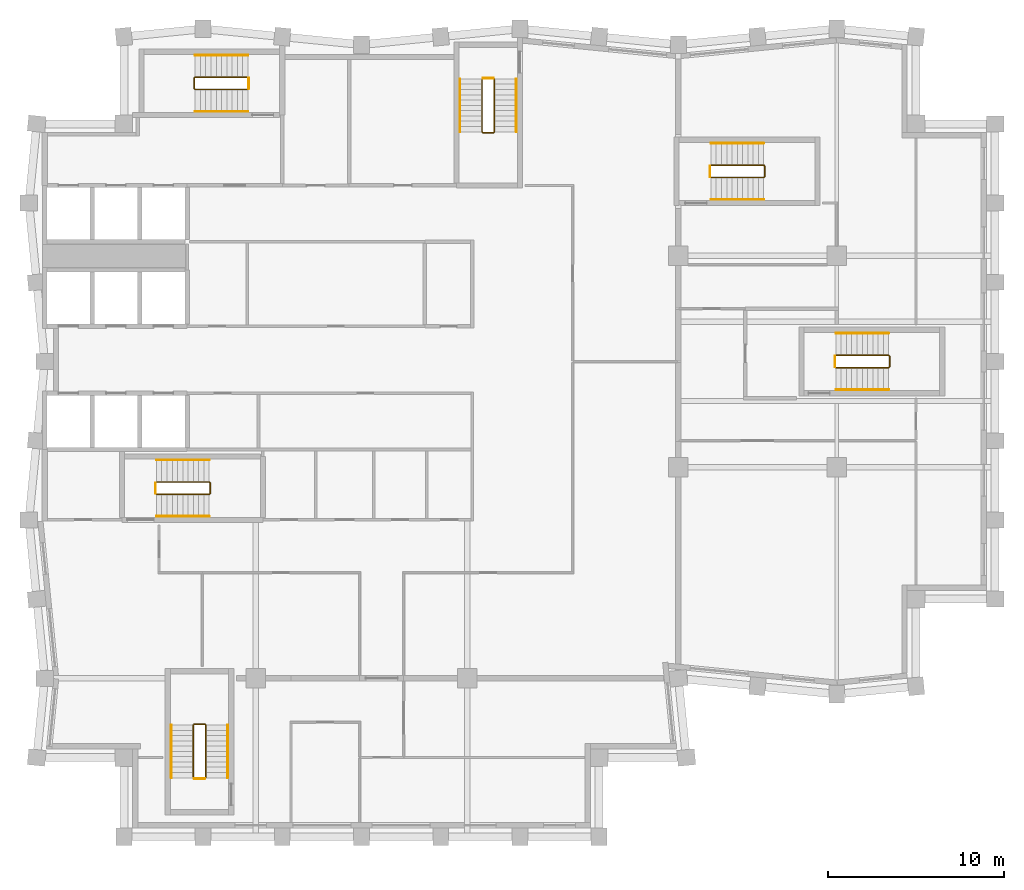
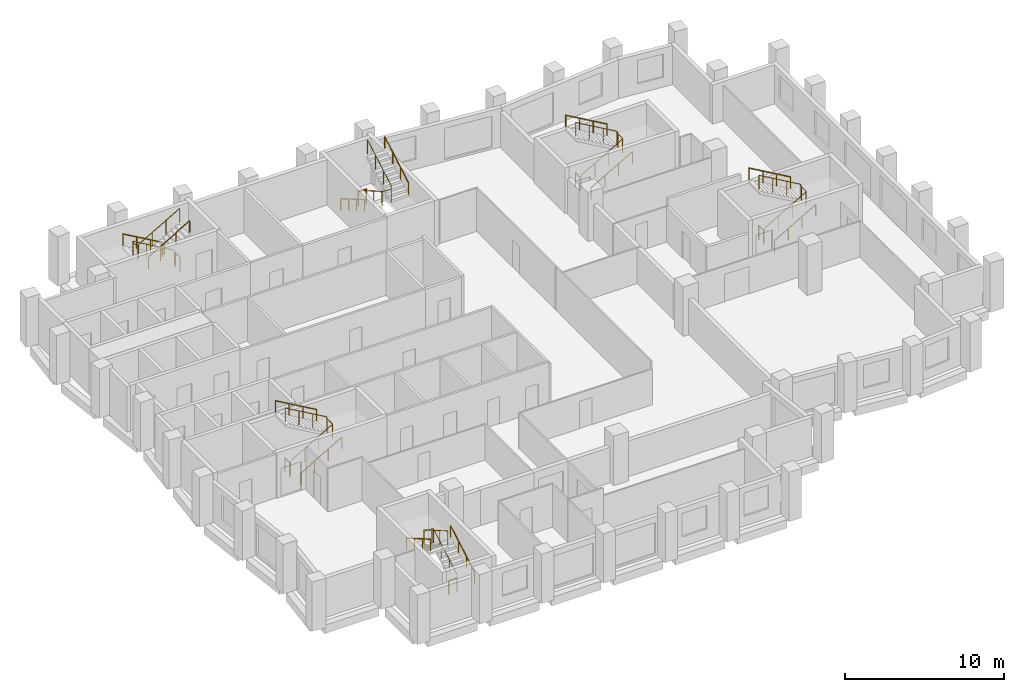
# One storey, part 8 of 8: 24 railings.
"""IFC4 building model written with IfcOpenShell, lengths in metres."""

from ifc_helpers import new_model, si_unit, direction, frame, origin, origin_2d, place, context, subcontext, project, spatial, circle, extrude, material, type_object, element, save


model = new_model("IFC4")

# Units and contexts
model_context = context("Model", 3, precision=1e-05, world=origin(), true_north=direction((0.0, 1.0)))
body_context = subcontext(model_context, "Body", "Model", "MODEL_VIEW")
ifc_project = project(units=[si_unit("LENGTHUNIT", "METRE"), si_unit("AREAUNIT", "SQUARE_METRE"), si_unit("VOLUMEUNIT", "CUBIC_METRE"), si_unit("PLANEANGLEUNIT", "RADIAN"), si_unit("MASSUNIT", "GRAM", prefix="KILO")], contexts=[model_context])

# Site, building, storey
site_placement = place(None, origin())
site = spatial("IfcSite", under=ifc_project, at=site_placement, CompositionType="ELEMENT")
building_placement = place(site_placement, origin())
building = spatial("IfcBuilding", under=site, at=building_placement, Name="Brondeck Convention Tower", CompositionType="ELEMENT")
storey_placement = place(building_placement, frame((0.0, 0.0, 244.39990234375)))
storey = spatial("IfcBuildingStorey", under=building, at=storey_placement, Name="L60", CompositionType="ELEMENT", Elevation=244.39990234375)

# Railings
ifc_material = material(Name="Steel S355", Category="steel")
railing_type_1 = type_object("IfcRailingType", Name="Stair guard 1100", PredefinedType="GUARDRAIL", material=ifc_material)
railing_1_placement = place(storey_placement, frame((6.35009765625, 37.449951171875, 0.1728515625)))
element("IfcRailing", 1, at=railing_1_placement, inside=storey, type_object=railing_type_1, Name="L60 ST-1 stair guard 1", PredefinedType="GUARDRAIL", context=body_context, shape_type="SweptSolid", body=[
    extrude(circle(Radius=0.02392578125, at=origin_2d()), frame((0.0, 0.0, 1.076171875), z_axis=(0.866619684472, 0.0, 0.498969260062), x_axis=(0.0, 1.0, 0.0)), (0.0, 0.0, 1.0), 3.461669921875),
    extrude(circle(Radius=0.02392578125, at=origin_2d()), frame((3.0, 0.0, 2.80322265625), z_axis=(0.705375805398, 0.708833529934, 0.0), x_axis=(-0.708833529934, 0.705375805398, 0.0)), (0.0, 0.0, 1.0), 0.070556640625),
    extrude(circle(Radius=0.02392578125, at=origin_2d()), frame((3.0498046875, 0.050048828125, 2.80322265625), z_axis=(0.0, 1.0, 0.0), x_axis=(-1.0, 0.0, 0.0)), (0.0, 0.0, 1.0), 0.60009765625),
    extrude(circle(Radius=0.02392578125, at=origin_2d()), frame((3.0498046875, 0.650146484375, 2.80322265625), z_axis=(-0.26715648603, 0.26715648603, 0.925880566782), x_axis=(-0.707106781187, -0.707106781187, 0.0)), (0.0, 0.0, 1.0), 0.1865234375),
    extrude(circle(Radius=0.02392578125, at=origin_2d()), frame((3.0, 0.699951171875, 2.97607421875), z_axis=(-0.866619684472, 0.0, 0.498969260062), x_axis=(0.0, -1.0, 0.0)), (0.0, 0.0, 1.0), 3.461669921875),
    extrude(circle(Radius=0.02099609375, at=origin_2d()), origin(), (0.0, 0.0, 1.0), 1.052001953125),
    extrude(circle(Radius=0.02099609375, at=origin_2d()), frame((1.0, 0.0, 0.57568359375)), (0.0, 0.0, 1.0), 1.052001953125),
    extrude(circle(Radius=0.02099609375, at=origin_2d()), frame((2.0, 0.0, 1.151611328125)), (0.0, 0.0, 1.0), 1.052001953125),
    extrude(circle(Radius=0.02099609375, at=origin_2d()), frame((3.0, 0.0, 1.727294921875)), (0.0, 0.0, 1.0), 1.052001953125),
    extrude(circle(Radius=0.02099609375, at=origin_2d()), frame((3.0498046875, 0.050048828125, 1.727294921875)), (0.0, 0.0, 1.0), 1.052001953125),
    extrude(circle(Radius=0.02099609375, at=origin_2d()), frame((3.0498046875, 0.650146484375, 1.727294921875)), (0.0, 0.0, 1.0), 1.052001953125),
    extrude(circle(Radius=0.02099609375, at=origin_2d()), frame((3.0, 0.699951171875, 1.89990234375)), (0.0, 0.0, 1.0), 1.052001953125),
    extrude(circle(Radius=0.02099609375, at=origin_2d()), frame((2.0, 0.699951171875, 2.4755859375)), (0.0, 0.0, 1.0), 1.052001953125),
    extrude(circle(Radius=0.02099609375, at=origin_2d()), frame((1.0, 0.699951171875, 3.051513671875)), (0.0, 0.0, 1.0), 1.052001953125),
    extrude(circle(Radius=0.02099609375, at=origin_2d()), frame((0.0, 0.699951171875, 3.627197265625)), (0.0, 0.0, 1.0), 1.052001953125),
])
railing_2_placement = place(storey_placement, frame((6.300048828125, 37.5, 0.0)))
element("IfcRailing", 2, at=railing_2_placement, inside=storey, type_object=railing_type_1, Name="L60 ST-1 stair guard 2", PredefinedType="GUARDRAIL", context=body_context, shape_type="SweptSolid", body=[
    extrude(circle(Radius=0.02392578125, at=origin_2d()), frame((0.0, 0.0, 1.076171875), z_axis=(0.0, 1.0, 0.0), x_axis=(-1.0, 0.0, 0.0)), (0.0, 0.0, 1.0), 0.60009765625),
    extrude(circle(Radius=0.02099609375, at=origin_2d()), origin(), (0.0, 0.0, 1.0), 1.052001953125),
    extrude(circle(Radius=0.02099609375, at=origin_2d()), frame((0.0, 0.60009765625, 0.0)), (0.0, 0.0, 1.0), 1.052001953125),
])
railing_3_placement = place(storey_placement, frame((24.85009765625, 61.050048828125, 0.1728515625)))
element("IfcRailing", 3, at=railing_3_placement, inside=storey, type_object=railing_type_1, Name="L60 ST-2 stair guard 1", PredefinedType="GUARDRAIL", context=body_context, shape_type="SweptSolid", body=[
    extrude(circle(Radius=0.02392578125, at=origin_2d()), frame((0.0, 0.0, 1.076171875), z_axis=(0.0, -0.866619684472, 0.498969260062), x_axis=(1.0, 0.0, 0.0)), (0.0, 0.0, 1.0), 3.461669921875),
    extrude(circle(Radius=0.02392578125, at=origin_2d()), frame((0.0, -3.0, 2.80322265625), z_axis=(0.705375805398, -0.708833529934, 0.0), x_axis=(0.708833529934, 0.705375805398, 0.0)), (0.0, 0.0, 1.0), 0.070556640625),
    extrude(circle(Radius=0.02392578125, at=origin_2d()), frame((0.0498046875, -3.050048828125, 2.80322265625), z_axis=(1.0, 0.0, 0.0), x_axis=(0.0, 1.0, 0.0)), (0.0, 0.0, 1.0), 0.60009765625),
    extrude(circle(Radius=0.02392578125, at=origin_2d()), frame((0.64990234375, -3.050048828125, 2.80322265625), z_axis=(0.268277960024, 0.268277960024, 0.925231793839), x_axis=(-0.707106781187, 0.707106781187, 0.0)), (0.0, 0.0, 1.0), 0.1865234375),
    extrude(circle(Radius=0.02392578125, at=origin_2d()), frame((0.699951171875, -3.0, 2.97607421875), z_axis=(0.0, 0.866619684472, 0.498969260062), x_axis=(-1.0, 0.0, 0.0)), (0.0, 0.0, 1.0), 3.461669921875),
    extrude(circle(Radius=0.02099609375, at=origin_2d()), origin(), (0.0, 0.0, 1.0), 1.052001953125),
    extrude(circle(Radius=0.02099609375, at=origin_2d()), frame((0.0, -1.0, 0.57568359375)), (0.0, 0.0, 1.0), 1.052001953125),
    extrude(circle(Radius=0.02099609375, at=origin_2d()), frame((0.0, -2.0, 1.151611328125)), (0.0, 0.0, 1.0), 1.052001953125),
    extrude(circle(Radius=0.02099609375, at=origin_2d()), frame((0.0, -3.0, 1.727294921875)), (0.0, 0.0, 1.0), 1.052001953125),
    extrude(circle(Radius=0.02099609375, at=origin_2d()), frame((0.0498046875, -3.050048828125, 1.727294921875)), (0.0, 0.0, 1.0), 1.052001953125),
    extrude(circle(Radius=0.02099609375, at=origin_2d()), frame((0.64990234375, -3.050048828125, 1.727294921875)), (0.0, 0.0, 1.0), 1.052001953125),
    extrude(circle(Radius=0.02099609375, at=origin_2d()), frame((0.699951171875, -3.0, 1.89990234375)), (0.0, 0.0, 1.0), 1.052001953125),
    extrude(circle(Radius=0.02099609375, at=origin_2d()), frame((0.699951171875, -2.0, 2.4755859375)), (0.0, 0.0, 1.0), 1.052001953125),
    extrude(circle(Radius=0.02099609375, at=origin_2d()), frame((0.699951171875, -1.0, 3.051513671875)), (0.0, 0.0, 1.0), 1.052001953125),
    extrude(circle(Radius=0.02099609375, at=origin_2d()), frame((0.699951171875, 0.0, 3.627197265625)), (0.0, 0.0, 1.0), 1.052001953125),
])
railing_4_placement = place(storey_placement, frame((24.89990234375, 61.10009765625, 0.0)))
element("IfcRailing", 4, at=railing_4_placement, inside=storey, type_object=railing_type_1, Name="L60 ST-2 stair guard 2", PredefinedType="GUARDRAIL", context=body_context, shape_type="SweptSolid", body=[
    extrude(circle(Radius=0.02392578125, at=origin_2d()), frame((0.0, 0.0, 1.076171875), z_axis=(1.0, 0.0, 0.0), x_axis=(0.0, 1.0, 0.0)), (0.0, 0.0, 1.0), 0.60009765625),
    extrude(circle(Radius=0.02099609375, at=origin_2d()), origin(), (0.0, 0.0, 1.0), 1.052001953125),
    extrude(circle(Radius=0.02099609375, at=origin_2d()), frame((0.60009765625, 0.0, 0.0)), (0.0, 0.0, 1.0), 1.052001953125),
])
railing_5_placement = place(storey_placement, frame((11.550048828125, 61.14990234375, 0.1728515625)))
element("IfcRailing", 5, at=railing_5_placement, inside=storey, type_object=railing_type_1, Name="L60 ST-3 stair guard 1", PredefinedType="GUARDRAIL", context=body_context, shape_type="SweptSolid", body=[
    extrude(circle(Radius=0.02392578125, at=origin_2d()), frame((0.0, 0.0, 1.076171875), z_axis=(-0.866619684472, 0.0, 0.498969260062), x_axis=(0.0, -1.0, 0.0)), (0.0, 0.0, 1.0), 3.461669921875),
    extrude(circle(Radius=0.02392578125, at=origin_2d()), frame((-3.0, 0.0, 2.80322265625), z_axis=(-0.708833529934, -0.705375805398, 0.0), x_axis=(0.705375805398, -0.708833529934, 0.0)), (0.0, 0.0, 1.0), 0.070556640625),
    extrude(circle(Radius=0.02392578125, at=origin_2d()), frame((-3.050048828125, -0.0498046875, 2.80322265625), z_axis=(0.0, -1.0, 0.0), x_axis=(1.0, 0.0, 0.0)), (0.0, 0.0, 1.0), 0.60009765625),
    extrude(circle(Radius=0.02392578125, at=origin_2d()), frame((-3.050048828125, -0.64990234375, 2.80322265625), z_axis=(0.268277960024, -0.268277960024, 0.925231793839), x_axis=(0.707106781187, 0.707106781187, 0.0)), (0.0, 0.0, 1.0), 0.1865234375),
    extrude(circle(Radius=0.02392578125, at=origin_2d()), frame((-3.0, -0.699951171875, 2.97607421875), z_axis=(0.866619684472, 0.0, 0.498969260062), x_axis=(0.0, 1.0, 0.0)), (0.0, 0.0, 1.0), 3.461669921875),
    extrude(circle(Radius=0.02099609375, at=origin_2d()), origin(), (0.0, 0.0, 1.0), 1.052001953125),
    extrude(circle(Radius=0.02099609375, at=origin_2d()), frame((-1.0, 0.0, 0.57568359375)), (0.0, 0.0, 1.0), 1.052001953125),
    extrude(circle(Radius=0.02099609375, at=origin_2d()), frame((-2.0, 0.0, 1.151611328125)), (0.0, 0.0, 1.0), 1.052001953125),
    extrude(circle(Radius=0.02099609375, at=origin_2d()), frame((-3.0, 0.0, 1.727294921875)), (0.0, 0.0, 1.0), 1.052001953125),
    extrude(circle(Radius=0.02099609375, at=origin_2d()), frame((-3.050048828125, -0.0498046875, 1.727294921875)), (0.0, 0.0, 1.0), 1.052001953125),
    extrude(circle(Radius=0.02099609375, at=origin_2d()), frame((-3.050048828125, -0.64990234375, 1.727294921875)), (0.0, 0.0, 1.0), 1.052001953125),
    extrude(circle(Radius=0.02099609375, at=origin_2d()), frame((-3.0, -0.699951171875, 1.89990234375)), (0.0, 0.0, 1.0), 1.052001953125),
    extrude(circle(Radius=0.02099609375, at=origin_2d()), frame((-2.0, -0.699951171875, 2.4755859375)), (0.0, 0.0, 1.0), 1.052001953125),
    extrude(circle(Radius=0.02099609375, at=origin_2d()), frame((-1.0, -0.699951171875, 3.051513671875)), (0.0, 0.0, 1.0), 1.052001953125),
    extrude(circle(Radius=0.02099609375, at=origin_2d()), frame((0.0, -0.699951171875, 3.627197265625)), (0.0, 0.0, 1.0), 1.052001953125),
])
railing_6_placement = place(storey_placement, frame((11.60009765625, 61.10009765625, 0.0)))
element("IfcRailing", 6, at=railing_6_placement, inside=storey, type_object=railing_type_1, Name="L60 ST-3 stair guard 2", PredefinedType="GUARDRAIL", context=body_context, shape_type="SweptSolid", body=[
    extrude(circle(Radius=0.02392578125, at=origin_2d()), frame((0.0, 0.0, 1.076171875), z_axis=(0.0, -1.0, 0.0), x_axis=(1.0, 0.0, 0.0)), (0.0, 0.0, 1.0), 0.60009765625),
    extrude(circle(Radius=0.02099609375, at=origin_2d()), origin(), (0.0, 0.0, 1.0), 1.052001953125),
    extrude(circle(Radius=0.02099609375, at=origin_2d()), frame((0.0, -0.60009765625, 0.0)), (0.0, 0.0, 1.0), 1.052001953125),
])
railing_7_placement = place(storey_placement, frame((37.85009765625, 55.449951171875, 0.1728515625)))
element("IfcRailing", 7, at=railing_7_placement, inside=storey, type_object=railing_type_1, Name="L60 ST-AE stair guard 1", PredefinedType="GUARDRAIL", context=body_context, shape_type="SweptSolid", body=[
    extrude(circle(Radius=0.02392578125, at=origin_2d()), frame((0.0, 0.0, 1.076171875), z_axis=(0.866619684472, 0.0, 0.498969260062), x_axis=(0.0, 1.0, 0.0)), (0.0, 0.0, 1.0), 3.461669921875),
    extrude(circle(Radius=0.02392578125, at=origin_2d()), frame((3.0, 0.0, 2.80322265625), z_axis=(0.705375805398, 0.708833529934, 0.0), x_axis=(-0.708833529934, 0.705375805398, 0.0)), (0.0, 0.0, 1.0), 0.070556640625),
    extrude(circle(Radius=0.02392578125, at=origin_2d()), frame((3.0498046875, 0.050048828125, 2.80322265625), z_axis=(0.0, 1.0, 0.0), x_axis=(-1.0, 0.0, 0.0)), (0.0, 0.0, 1.0), 0.60009765625),
    extrude(circle(Radius=0.02392578125, at=origin_2d()), frame((3.0498046875, 0.650146484375, 2.80322265625), z_axis=(-0.26715648603, 0.26715648603, 0.925880566782), x_axis=(-0.707106781187, -0.707106781187, 0.0)), (0.0, 0.0, 1.0), 0.1865234375),
    extrude(circle(Radius=0.02392578125, at=origin_2d()), frame((3.0, 0.699951171875, 2.97607421875), z_axis=(-0.866619684472, 0.0, 0.498969260062), x_axis=(0.0, -1.0, 0.0)), (0.0, 0.0, 1.0), 3.461669921875),
    extrude(circle(Radius=0.02099609375, at=origin_2d()), origin(), (0.0, 0.0, 1.0), 1.052001953125),
    extrude(circle(Radius=0.02099609375, at=origin_2d()), frame((1.0, 0.0, 0.57568359375)), (0.0, 0.0, 1.0), 1.052001953125),
    extrude(circle(Radius=0.02099609375, at=origin_2d()), frame((2.0, 0.0, 1.151611328125)), (0.0, 0.0, 1.0), 1.052001953125),
    extrude(circle(Radius=0.02099609375, at=origin_2d()), frame((3.0, 0.0, 1.727294921875)), (0.0, 0.0, 1.0), 1.052001953125),
    extrude(circle(Radius=0.02099609375, at=origin_2d()), frame((3.0498046875, 0.050048828125, 1.727294921875)), (0.0, 0.0, 1.0), 1.052001953125),
    extrude(circle(Radius=0.02099609375, at=origin_2d()), frame((3.0498046875, 0.650146484375, 1.727294921875)), (0.0, 0.0, 1.0), 1.052001953125),
    extrude(circle(Radius=0.02099609375, at=origin_2d()), frame((3.0, 0.699951171875, 1.89990234375)), (0.0, 0.0, 1.0), 1.052001953125),
    extrude(circle(Radius=0.02099609375, at=origin_2d()), frame((2.0, 0.699951171875, 2.4755859375)), (0.0, 0.0, 1.0), 1.052001953125),
    extrude(circle(Radius=0.02099609375, at=origin_2d()), frame((1.0, 0.699951171875, 3.051513671875)), (0.0, 0.0, 1.0), 1.052001953125),
    extrude(circle(Radius=0.02099609375, at=origin_2d()), frame((0.0, 0.699951171875, 3.627197265625)), (0.0, 0.0, 1.0), 1.052001953125),
])
railing_8_placement = place(storey_placement, frame((37.800048828125, 55.5, 0.0)))
element("IfcRailing", 8, at=railing_8_placement, inside=storey, type_object=railing_type_1, Name="L60 ST-AE stair guard 2", PredefinedType="GUARDRAIL", context=body_context, shape_type="SweptSolid", body=[
    extrude(circle(Radius=0.02392578125, at=origin_2d()), frame((0.0, 0.0, 1.076171875), z_axis=(0.0, 1.0, 0.0), x_axis=(-1.0, 0.0, 0.0)), (0.0, 0.0, 1.0), 0.60009765625),
    extrude(circle(Radius=0.02099609375, at=origin_2d()), origin(), (0.0, 0.0, 1.0), 1.052001953125),
    extrude(circle(Radius=0.02099609375, at=origin_2d()), frame((0.0, 0.60009765625, 0.0)), (0.0, 0.0, 1.0), 1.052001953125),
])
railing_9_placement = place(storey_placement, frame((9.14990234375, 21.35009765625, 0.1728515625)))
element("IfcRailing", 9, at=railing_9_placement, inside=storey, type_object=railing_type_1, Name="L60 ST-BE stair guard 1", PredefinedType="GUARDRAIL", context=body_context, shape_type="SweptSolid", body=[
    extrude(circle(Radius=0.02392578125, at=origin_2d()), frame((0.0, 0.0, 1.076171875), z_axis=(0.0, 0.866619684472, 0.498969260062), x_axis=(-1.0, 0.0, 0.0)), (0.0, 0.0, 1.0), 3.461669921875),
    extrude(circle(Radius=0.02392578125, at=origin_2d()), frame((0.0, 3.0, 2.80322265625), z_axis=(-0.707106781187, 0.707106781187, 0.0), x_axis=(-0.707106781187, -0.707106781187, 0.0)), (0.0, 0.0, 1.0), 0.0703125),
    extrude(circle(Radius=0.02392578125, at=origin_2d()), frame((-0.0498046875, 3.0498046875, 2.80322265625), z_axis=(-1.0, 0.0, 0.0), x_axis=(0.0, -1.0, 0.0)), (0.0, 0.0, 1.0), 0.60009765625),
    extrude(circle(Radius=0.02392578125, at=origin_2d()), frame((-0.64990234375, 3.0498046875, 2.80322265625), z_axis=(-0.268371968888, -0.267062837333, 0.925556009775), x_axis=(0.705375805398, -0.708833529934, 0.0)), (0.0, 0.0, 1.0), 0.1865234375),
    extrude(circle(Radius=0.02392578125, at=origin_2d()), frame((-0.699951171875, 3.0, 2.97607421875), z_axis=(0.0, -0.866619684472, 0.498969260062), x_axis=(1.0, 0.0, 0.0)), (0.0, 0.0, 1.0), 3.461669921875),
    extrude(circle(Radius=0.02099609375, at=origin_2d()), origin(), (0.0, 0.0, 1.0), 1.052001953125),
    extrude(circle(Radius=0.02099609375, at=origin_2d()), frame((0.0, 1.0, 0.57568359375)), (0.0, 0.0, 1.0), 1.052001953125),
    extrude(circle(Radius=0.02099609375, at=origin_2d()), frame((0.0, 2.0, 1.151611328125)), (0.0, 0.0, 1.0), 1.052001953125),
    extrude(circle(Radius=0.02099609375, at=origin_2d()), frame((0.0, 3.0, 1.727294921875)), (0.0, 0.0, 1.0), 1.052001953125),
    extrude(circle(Radius=0.02099609375, at=origin_2d()), frame((-0.0498046875, 3.0498046875, 1.727294921875)), (0.0, 0.0, 1.0), 1.052001953125),
    extrude(circle(Radius=0.02099609375, at=origin_2d()), frame((-0.64990234375, 3.0498046875, 1.727294921875)), (0.0, 0.0, 1.0), 1.052001953125),
    extrude(circle(Radius=0.02099609375, at=origin_2d()), frame((-0.699951171875, 3.0, 1.89990234375)), (0.0, 0.0, 1.0), 1.052001953125),
    extrude(circle(Radius=0.02099609375, at=origin_2d()), frame((-0.699951171875, 2.0, 2.4755859375)), (0.0, 0.0, 1.0), 1.052001953125),
    extrude(circle(Radius=0.02099609375, at=origin_2d()), frame((-0.699951171875, 1.0, 3.051513671875)), (0.0, 0.0, 1.0), 1.052001953125),
    extrude(circle(Radius=0.02099609375, at=origin_2d()), frame((-0.699951171875, 0.0, 3.627197265625)), (0.0, 0.0, 1.0), 1.052001953125),
])
railing_10_placement = place(storey_placement, frame((9.10009765625, 21.300048828125, 0.0)))
element("IfcRailing", 10, at=railing_10_placement, inside=storey, type_object=railing_type_1, Name="L60 ST-BE stair guard 2", PredefinedType="GUARDRAIL", context=body_context, shape_type="SweptSolid", body=[
    extrude(circle(Radius=0.02392578125, at=origin_2d()), frame((0.0, 0.0, 1.076171875), z_axis=(-1.0, 0.0, 0.0), x_axis=(0.0, -1.0, 0.0)), (0.0, 0.0, 1.0), 0.60009765625),
    extrude(circle(Radius=0.02099609375, at=origin_2d()), origin(), (0.0, 0.0, 1.0), 1.052001953125),
    extrude(circle(Radius=0.02099609375, at=origin_2d()), frame((-0.60009765625, 0.0, 0.0)), (0.0, 0.0, 1.0), 1.052001953125),
])
railing_11_placement = place(storey_placement, frame((44.949951171875, 44.64990234375, 0.1728515625)))
element("IfcRailing", 11, at=railing_11_placement, inside=storey, type_object=railing_type_1, Name="L60 ST-AF stair guard 1", PredefinedType="GUARDRAIL", context=body_context, shape_type="SweptSolid", body=[
    extrude(circle(Radius=0.02392578125, at=origin_2d()), frame((0.0, 0.0, 1.076171875), z_axis=(0.866619684472, 0.0, 0.498969260062), x_axis=(0.0, 1.0, 0.0)), (0.0, 0.0, 1.0), 3.461669921875),
    extrude(circle(Radius=0.02392578125, at=origin_2d()), frame((3.0, 0.0, 2.80322265625), z_axis=(0.707106781187, 0.707106781187, 0.0), x_axis=(-0.707106781187, 0.707106781187, 0.0)), (0.0, 0.0, 1.0), 0.07080078125),
    extrude(circle(Radius=0.02392578125, at=origin_2d()), frame((3.050048828125, 0.050048828125, 2.80322265625), z_axis=(0.0, 1.0, 0.0), x_axis=(-1.0, 0.0, 0.0)), (0.0, 0.0, 1.0), 0.60009765625),
    extrude(circle(Radius=0.02392578125, at=origin_2d()), frame((3.050048828125, 0.650146484375, 2.80322265625), z_axis=(-0.268277960024, 0.268277960024, 0.925231793839), x_axis=(-0.707106781187, -0.707106781187, 0.0)), (0.0, 0.0, 1.0), 0.1865234375),
    extrude(circle(Radius=0.02392578125, at=origin_2d()), frame((3.0, 0.7001953125, 2.97607421875), z_axis=(-0.866619684472, 0.0, 0.498969260062), x_axis=(0.0, -1.0, 0.0)), (0.0, 0.0, 1.0), 3.461669921875),
    extrude(circle(Radius=0.02099609375, at=origin_2d()), origin(), (0.0, 0.0, 1.0), 1.052001953125),
    extrude(circle(Radius=0.02099609375, at=origin_2d()), frame((1.0, 0.0, 0.57568359375)), (0.0, 0.0, 1.0), 1.052001953125),
    extrude(circle(Radius=0.02099609375, at=origin_2d()), frame((2.0, 0.0, 1.151611328125)), (0.0, 0.0, 1.0), 1.052001953125),
    extrude(circle(Radius=0.02099609375, at=origin_2d()), frame((3.0, 0.0, 1.727294921875)), (0.0, 0.0, 1.0), 1.052001953125),
    extrude(circle(Radius=0.02099609375, at=origin_2d()), frame((3.050048828125, 0.050048828125, 1.727294921875)), (0.0, 0.0, 1.0), 1.052001953125),
    extrude(circle(Radius=0.02099609375, at=origin_2d()), frame((3.050048828125, 0.650146484375, 1.727294921875)), (0.0, 0.0, 1.0), 1.052001953125),
    extrude(circle(Radius=0.02099609375, at=origin_2d()), frame((3.0, 0.7001953125, 1.89990234375)), (0.0, 0.0, 1.0), 1.052001953125),
    extrude(circle(Radius=0.02099609375, at=origin_2d()), frame((2.0, 0.7001953125, 2.4755859375)), (0.0, 0.0, 1.0), 1.052001953125),
    extrude(circle(Radius=0.02099609375, at=origin_2d()), frame((1.0, 0.7001953125, 3.051513671875)), (0.0, 0.0, 1.0), 1.052001953125),
    extrude(circle(Radius=0.02099609375, at=origin_2d()), frame((0.0, 0.7001953125, 3.627197265625)), (0.0, 0.0, 1.0), 1.052001953125),
])
railing_12_placement = place(storey_placement, frame((44.89990234375, 44.699951171875, 0.0)))
element("IfcRailing", 12, at=railing_12_placement, inside=storey, type_object=railing_type_1, Name="L60 ST-AF stair guard 2", PredefinedType="GUARDRAIL", context=body_context, shape_type="SweptSolid", body=[
    extrude(circle(Radius=0.02392578125, at=origin_2d()), frame((0.0, 0.0, 1.076171875), z_axis=(0.0, 1.0, 0.0), x_axis=(-1.0, 0.0, 0.0)), (0.0, 0.0, 1.0), 0.60009765625),
    extrude(circle(Radius=0.02099609375, at=origin_2d()), origin(), (0.0, 0.0, 1.0), 1.052001953125),
    extrude(circle(Radius=0.02099609375, at=origin_2d()), frame((0.0, 0.60009765625, 0.0)), (0.0, 0.0, 1.0), 1.052001953125),
])
railing_type_2 = type_object("IfcRailingType", Name="Stair handrail", PredefinedType="HANDRAIL", material=ifc_material)
railing_13_placement = place(storey_placement, frame((6.35009765625, 36.199951171875, 0.1728515625)))
element("IfcRailing", 13, at=railing_13_placement, inside=storey, type_object=railing_type_2, Name="L60 ST-1 stair handrail 1", PredefinedType="HANDRAIL", context=body_context, shape_type="SweptSolid", body=[
    extrude(circle(Radius=0.02392578125, at=origin_2d()), frame((0.0, 0.0, 0.8759765625), z_axis=(0.866619684472, 0.0, 0.498969260062), x_axis=(0.0, 1.0, 0.0)), (0.0, 0.0, 1.0), 3.461669921875),
    extrude(circle(Radius=0.02099609375, at=origin_2d()), origin(), (0.0, 0.0, 1.0), 0.851806640625),
    extrude(circle(Radius=0.02099609375, at=origin_2d()), frame((1.0, 0.0, 0.57568359375)), (0.0, 0.0, 1.0), 0.851806640625),
    extrude(circle(Radius=0.02099609375, at=origin_2d()), frame((2.0, 0.0, 1.151611328125)), (0.0, 0.0, 1.0), 0.851806640625),
    extrude(circle(Radius=0.02099609375, at=origin_2d()), frame((3.0, 0.0, 1.727294921875)), (0.0, 0.0, 1.0), 0.851806640625),
])
railing_14_placement = place(storey_placement, frame((9.35009765625, 39.39990234375, 2.07275390625)))
element("IfcRailing", 14, at=railing_14_placement, inside=storey, type_object=railing_type_2, Name="L60 ST-1 stair handrail 2", PredefinedType="HANDRAIL", context=body_context, shape_type="SweptSolid", body=[
    extrude(circle(Radius=0.02392578125, at=origin_2d()), frame((0.0, 0.0, 0.8759765625), z_axis=(-0.866619684472, 0.0, 0.498969260062), x_axis=(0.0, -1.0, 0.0)), (0.0, 0.0, 1.0), 3.461669921875),
    extrude(circle(Radius=0.02099609375, at=origin_2d()), origin(), (0.0, 0.0, 1.0), 0.851806640625),
    extrude(circle(Radius=0.02099609375, at=origin_2d()), frame((-1.0, 0.0, 0.57568359375)), (0.0, 0.0, 1.0), 0.851806640625),
    extrude(circle(Radius=0.02099609375, at=origin_2d()), frame((-2.0, 0.0, 1.151611328125)), (0.0, 0.0, 1.0), 0.851806640625),
    extrude(circle(Radius=0.02099609375, at=origin_2d()), frame((-3.0, 0.0, 1.727294921875)), (0.0, 0.0, 1.0), 0.851806640625),
])
railing_15_placement = place(storey_placement, frame((23.60009765625, 61.050048828125, 0.1728515625)))
element("IfcRailing", 15, at=railing_15_placement, inside=storey, type_object=railing_type_2, Name="L60 ST-2 stair handrail 1", PredefinedType="HANDRAIL", context=body_context, shape_type="SweptSolid", body=[
    extrude(circle(Radius=0.02392578125, at=origin_2d()), frame((0.0, 0.0, 0.8759765625), z_axis=(0.0, -0.866619684472, 0.498969260062), x_axis=(1.0, 0.0, 0.0)), (0.0, 0.0, 1.0), 3.461669921875),
    extrude(circle(Radius=0.02099609375, at=origin_2d()), origin(), (0.0, 0.0, 1.0), 0.851806640625),
    extrude(circle(Radius=0.02099609375, at=origin_2d()), frame((0.0, -1.0, 0.57568359375)), (0.0, 0.0, 1.0), 0.851806640625),
    extrude(circle(Radius=0.02099609375, at=origin_2d()), frame((0.0, -2.0, 1.151611328125)), (0.0, 0.0, 1.0), 0.851806640625),
    extrude(circle(Radius=0.02099609375, at=origin_2d()), frame((0.0, -3.0, 1.727294921875)), (0.0, 0.0, 1.0), 0.851806640625),
])
railing_16_placement = place(storey_placement, frame((26.800048828125, 58.050048828125, 2.07275390625)))
element("IfcRailing", 16, at=railing_16_placement, inside=storey, type_object=railing_type_2, Name="L60 ST-2 stair handrail 2", PredefinedType="HANDRAIL", context=body_context, shape_type="SweptSolid", body=[
    extrude(circle(Radius=0.02392578125, at=origin_2d()), frame((0.0, 0.0, 0.8759765625), z_axis=(0.0, 0.866619684472, 0.498969260062), x_axis=(-1.0, 0.0, 0.0)), (0.0, 0.0, 1.0), 3.461669921875),
    extrude(circle(Radius=0.02099609375, at=origin_2d()), origin(), (0.0, 0.0, 1.0), 0.851806640625),
    extrude(circle(Radius=0.02099609375, at=origin_2d()), frame((0.0, 1.0, 0.57568359375)), (0.0, 0.0, 1.0), 0.851806640625),
    extrude(circle(Radius=0.02099609375, at=origin_2d()), frame((0.0, 2.0, 1.151611328125)), (0.0, 0.0, 1.0), 0.851806640625),
    extrude(circle(Radius=0.02099609375, at=origin_2d()), frame((0.0, 3.0, 1.727294921875)), (0.0, 0.0, 1.0), 0.851806640625),
])
railing_17_placement = place(storey_placement, frame((11.550048828125, 62.39990234375, 0.1728515625)))
element("IfcRailing", 17, at=railing_17_placement, inside=storey, type_object=railing_type_2, Name="L60 ST-3 stair handrail 1", PredefinedType="HANDRAIL", context=body_context, shape_type="SweptSolid", body=[
    extrude(circle(Radius=0.02392578125, at=origin_2d()), frame((0.0, 0.0, 0.8759765625), z_axis=(-0.866619684472, 0.0, 0.498969260062), x_axis=(0.0, -1.0, 0.0)), (0.0, 0.0, 1.0), 3.461669921875),
    extrude(circle(Radius=0.02099609375, at=origin_2d()), origin(), (0.0, 0.0, 1.0), 0.851806640625),
    extrude(circle(Radius=0.02099609375, at=origin_2d()), frame((-1.0, 0.0, 0.57568359375)), (0.0, 0.0, 1.0), 0.851806640625),
    extrude(circle(Radius=0.02099609375, at=origin_2d()), frame((-2.0, 0.0, 1.151611328125)), (0.0, 0.0, 1.0), 0.851806640625),
    extrude(circle(Radius=0.02099609375, at=origin_2d()), frame((-3.0, 0.0, 1.727294921875)), (0.0, 0.0, 1.0), 0.851806640625),
])
for number, where, name in (
    (18, (8.550048828125, 59.199951171875, 2.07275390625), "L60 ST-3 stair handrail 2"),
    (19, (37.85009765625, 54.199951171875, 0.1728515625), "L60 ST-AE stair handrail 1"),
):
    element("IfcRailing", number, at=place(storey_placement, frame(where)), inside=storey, type_object=railing_type_2, Name=name, PredefinedType="HANDRAIL", context=body_context, shape_type="SweptSolid", body=[
        extrude(circle(Radius=0.02392578125, at=origin_2d()), frame((0.0, 0.0, 0.8759765625), z_axis=(0.866619684472, 0.0, 0.498969260062), x_axis=(0.0, 1.0, 0.0)), (0.0, 0.0, 1.0), 3.461669921875),
        extrude(circle(Radius=0.02099609375, at=origin_2d()), origin(), (0.0, 0.0, 1.0), 0.851806640625),
        extrude(circle(Radius=0.02099609375, at=origin_2d()), frame((1.0, 0.0, 0.57568359375)), (0.0, 0.0, 1.0), 0.851806640625),
        extrude(circle(Radius=0.02099609375, at=origin_2d()), frame((2.0, 0.0, 1.151611328125)), (0.0, 0.0, 1.0), 0.851806640625),
        extrude(circle(Radius=0.02099609375, at=origin_2d()), frame((3.0, 0.0, 1.727294921875)), (0.0, 0.0, 1.0), 0.851806640625),
    ])
railing_18_placement = place(storey_placement, frame((40.85009765625, 57.39990234375, 2.07275390625)))
element("IfcRailing", 20, at=railing_18_placement, inside=storey, type_object=railing_type_2, Name="L60 ST-AE stair handrail 2", PredefinedType="HANDRAIL", context=body_context, shape_type="SweptSolid", body=[
    extrude(circle(Radius=0.02392578125, at=origin_2d()), frame((0.0, 0.0, 0.8759765625), z_axis=(-0.866619684472, 0.0, 0.498969260062), x_axis=(0.0, -1.0, 0.0)), (0.0, 0.0, 1.0), 3.461669921875),
    extrude(circle(Radius=0.02099609375, at=origin_2d()), origin(), (0.0, 0.0, 1.0), 0.851806640625),
    extrude(circle(Radius=0.02099609375, at=origin_2d()), frame((-1.0, 0.0, 0.57568359375)), (0.0, 0.0, 1.0), 0.851806640625),
    extrude(circle(Radius=0.02099609375, at=origin_2d()), frame((-2.0, 0.0, 1.151611328125)), (0.0, 0.0, 1.0), 0.851806640625),
    extrude(circle(Radius=0.02099609375, at=origin_2d()), frame((-3.0, 0.0, 1.727294921875)), (0.0, 0.0, 1.0), 0.851806640625),
])
railing_19_placement = place(storey_placement, frame((10.39990234375, 21.35009765625, 0.1728515625)))
element("IfcRailing", 21, at=railing_19_placement, inside=storey, type_object=railing_type_2, Name="L60 ST-BE stair handrail 1", PredefinedType="HANDRAIL", context=body_context, shape_type="SweptSolid", body=[
    extrude(circle(Radius=0.02392578125, at=origin_2d()), frame((0.0, 0.0, 0.8759765625), z_axis=(0.0, 0.866619684472, 0.498969260062), x_axis=(-1.0, 0.0, 0.0)), (0.0, 0.0, 1.0), 3.461669921875),
    extrude(circle(Radius=0.02099609375, at=origin_2d()), origin(), (0.0, 0.0, 1.0), 0.851806640625),
    extrude(circle(Radius=0.02099609375, at=origin_2d()), frame((0.0, 1.0, 0.57568359375)), (0.0, 0.0, 1.0), 0.851806640625),
    extrude(circle(Radius=0.02099609375, at=origin_2d()), frame((0.0, 2.0, 1.151611328125)), (0.0, 0.0, 1.0), 0.851806640625),
    extrude(circle(Radius=0.02099609375, at=origin_2d()), frame((0.0, 3.0, 1.727294921875)), (0.0, 0.0, 1.0), 0.851806640625),
])
railing_20_placement = place(storey_placement, frame((7.199951171875, 24.35009765625, 2.07275390625)))
element("IfcRailing", 22, at=railing_20_placement, inside=storey, type_object=railing_type_2, Name="L60 ST-BE stair handrail 2", PredefinedType="HANDRAIL", context=body_context, shape_type="SweptSolid", body=[
    extrude(circle(Radius=0.02392578125, at=origin_2d()), frame((0.0, 0.0, 0.8759765625), z_axis=(0.0, -0.866619684472, 0.498969260062), x_axis=(1.0, 0.0, 0.0)), (0.0, 0.0, 1.0), 3.461669921875),
    extrude(circle(Radius=0.02099609375, at=origin_2d()), origin(), (0.0, 0.0, 1.0), 0.851806640625),
    extrude(circle(Radius=0.02099609375, at=origin_2d()), frame((0.0, -1.0, 0.57568359375)), (0.0, 0.0, 1.0), 0.851806640625),
    extrude(circle(Radius=0.02099609375, at=origin_2d()), frame((0.0, -2.0, 1.151611328125)), (0.0, 0.0, 1.0), 0.851806640625),
    extrude(circle(Radius=0.02099609375, at=origin_2d()), frame((0.0, -3.0, 1.727294921875)), (0.0, 0.0, 1.0), 0.851806640625),
])
railing_21_placement = place(storey_placement, frame((44.949951171875, 43.39990234375, 0.1728515625)))
element("IfcRailing", 23, at=railing_21_placement, inside=storey, type_object=railing_type_2, Name="L60 ST-AF stair handrail 1", PredefinedType="HANDRAIL", context=body_context, shape_type="SweptSolid", body=[
    extrude(circle(Radius=0.02392578125, at=origin_2d()), frame((0.0, 0.0, 0.8759765625), z_axis=(0.866619684472, 0.0, 0.498969260062), x_axis=(0.0, 1.0, 0.0)), (0.0, 0.0, 1.0), 3.461669921875),
    extrude(circle(Radius=0.02099609375, at=origin_2d()), origin(), (0.0, 0.0, 1.0), 0.851806640625),
    extrude(circle(Radius=0.02099609375, at=origin_2d()), frame((1.0, 0.0, 0.57568359375)), (0.0, 0.0, 1.0), 0.851806640625),
    extrude(circle(Radius=0.02099609375, at=origin_2d()), frame((2.0, 0.0, 1.151611328125)), (0.0, 0.0, 1.0), 0.851806640625),
    extrude(circle(Radius=0.02099609375, at=origin_2d()), frame((3.0, 0.0, 1.727294921875)), (0.0, 0.0, 1.0), 0.851806640625),
])
railing_22_placement = place(storey_placement, frame((47.949951171875, 46.60009765625, 2.07275390625)))
element("IfcRailing", 24, at=railing_22_placement, inside=storey, type_object=railing_type_2, Name="L60 ST-AF stair handrail 2", PredefinedType="HANDRAIL", context=body_context, shape_type="SweptSolid", body=[
    extrude(circle(Radius=0.02392578125, at=origin_2d()), frame((0.0, 0.0, 0.8759765625), z_axis=(-0.866619684472, 0.0, 0.498969260062), x_axis=(0.0, -1.0, 0.0)), (0.0, 0.0, 1.0), 3.461669921875),
    extrude(circle(Radius=0.02099609375, at=origin_2d()), origin(), (0.0, 0.0, 1.0), 0.851806640625),
    extrude(circle(Radius=0.02099609375, at=origin_2d()), frame((-1.0, 0.0, 0.57568359375)), (0.0, 0.0, 1.0), 0.851806640625),
    extrude(circle(Radius=0.02099609375, at=origin_2d()), frame((-2.0, 0.0, 1.151611328125)), (0.0, 0.0, 1.0), 0.851806640625),
    extrude(circle(Radius=0.02099609375, at=origin_2d()), frame((-3.0, 0.0, 1.727294921875)), (0.0, 0.0, 1.0), 0.851806640625),
])

save(model, "model.ifc")
